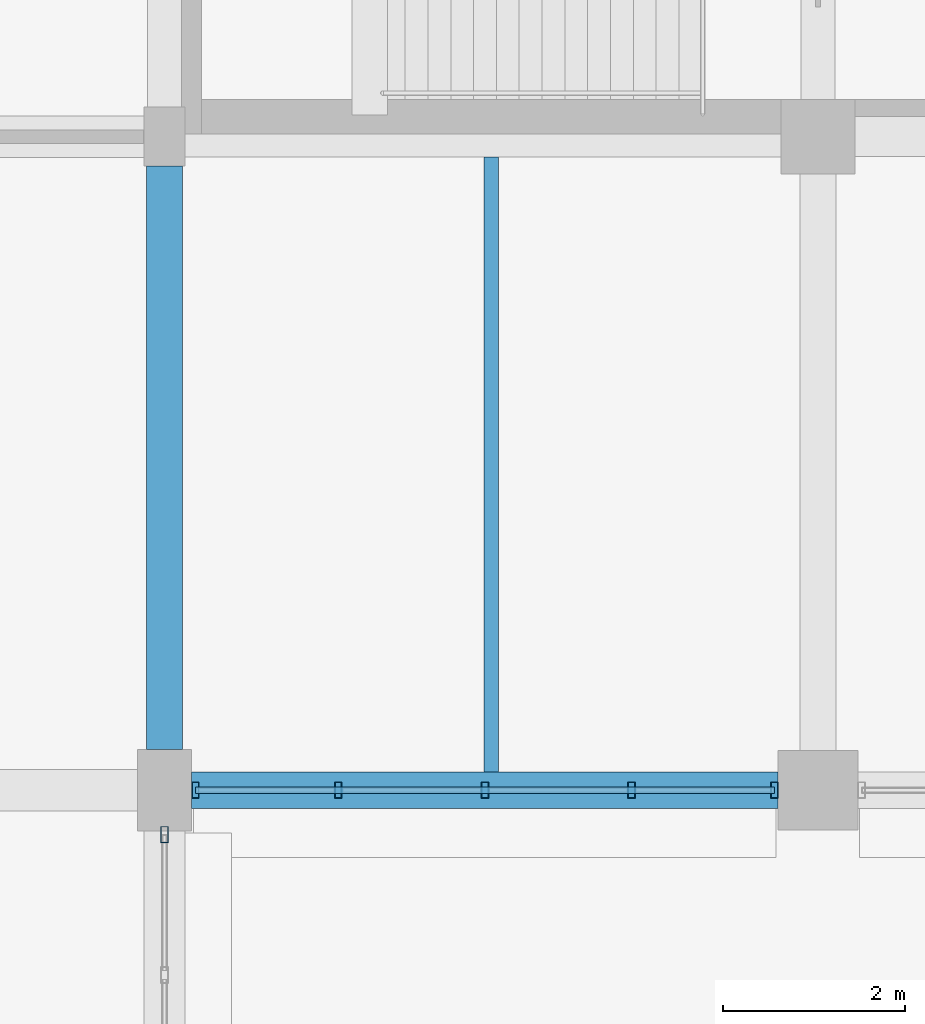
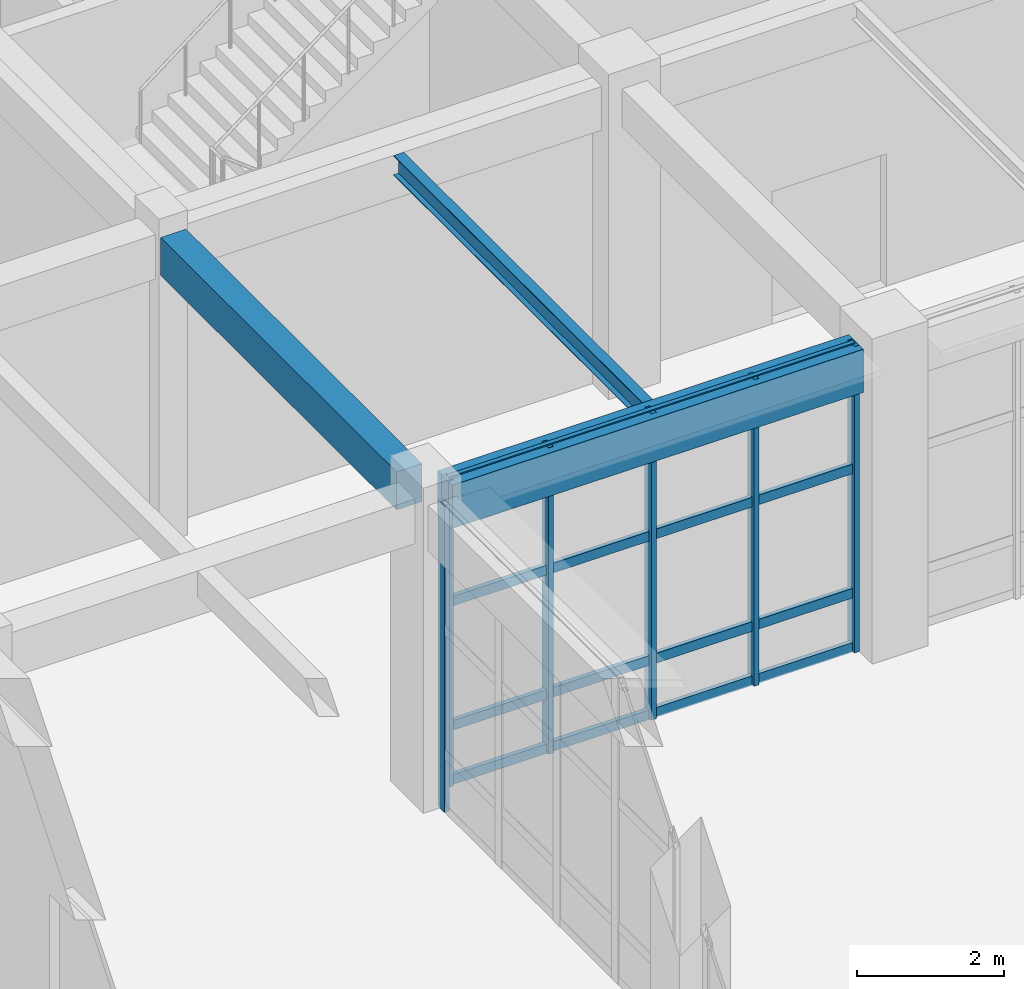
# One storey, part 54 of 160: 10 members, 3 beams, 2 elements without a shape of their own.
"""IFC4 building model written with IfcOpenShell, lengths in metres."""

from ifc_helpers import new_model, si_unit, direction, frame, origin, origin_2d, place, context, subcontext, project, spatial, rectangle, hollow_rectangle, i_section, extrude, material, material_profile, profile_set, type_object, element, aggregate, save


model = new_model("IFC4")

# Units and contexts
model_context = context("Model", 3, precision=1e-05, world=origin(), true_north=direction((0.0, 1.0)))
body_context = subcontext(model_context, "Body", "Model", "MODEL_VIEW")
ifc_project = project(units=[si_unit("LENGTHUNIT", "METRE"), si_unit("AREAUNIT", "SQUARE_METRE"), si_unit("VOLUMEUNIT", "CUBIC_METRE"), si_unit("PLANEANGLEUNIT", "RADIAN"), si_unit("MASSUNIT", "GRAM", prefix="KILO")], contexts=[model_context])

# Site, building, storey
site_placement = place(None, origin())
site = spatial("IfcSite", under=ifc_project, at=site_placement, CompositionType="ELEMENT")
building_placement = place(site_placement, origin())
building = spatial("IfcBuilding", under=site, at=building_placement, Name="Thalmaran Polytechnic", CompositionType="ELEMENT")
storey_placement = place(building_placement, origin())
storey = spatial("IfcBuildingStorey", under=building, at=storey_placement, Name="L00", CompositionType="ELEMENT", Elevation=0.0)

# Beams
ifc_material_1 = material(Name="Concrete C40/50", Category="concrete")
ifc_material_profile_1 = material_profile(ifc_material_1, rectangle(XDim=0.39990234375, YDim=0.6298828125, at=origin_2d()), Name="RC 400x630")
ifc_profile_set_1 = profile_set([ifc_material_profile_1], Name="Concrete C40/50")
beam_type_1 = type_object("IfcBeamType", Name="BM-RC07", PredefinedType="BEAM", material=ifc_profile_set_1)
beam_1_placement = place(storey_placement, frame((21.60009765625, 94.050048828125, 4.77490234375), z_axis=(0.0, 1.0, 0.0), x_axis=(-1.0, 0.0, 0.0)))
element("IfcBeam", 1, at=beam_1_placement, inside=storey, type_object=beam_type_1, Name="Grid Beam B07 L00 Y(3,13)", PredefinedType="BEAM", context=body_context, shape_type="SweptSolid", body=[
    extrude(rectangle(XDim=0.39990234375, YDim=0.6298828125, at=origin_2d()), origin(), (0.0, 0.0, 1.0), 6.425048828125),
])
ifc_material_2 = material(Name="Steel S355", Category="steel")
ifc_material_profile_2 = material_profile(ifc_material_2, i_section(OverallWidth=0.159912109375, OverallDepth=0.330078125, WebThickness=0.007568359375, FlangeThickness=0.011474609375, at=origin_2d()), Name="IPE 330")
ifc_profile_set_2 = profile_set([ifc_material_profile_2], Name="Steel S355")
beam_type_2 = type_object("IfcBeamType", Name="BM-SJ02", PredefinedType="JOIST", material=ifc_profile_set_2)
beam_2_placement = place(storey_placement, frame((25.199951171875, 93.800048828125, 4.925048828125), z_axis=(0.0, 1.0, 0.0), x_axis=(-1.0, 0.0, 0.0)))
element("IfcBeam", 2, at=beam_2_placement, inside=storey, type_object=beam_type_2, Name="Secondary Floor Rib SJ02 L00 (3,13)", PredefinedType="JOIST", context=body_context, shape_type="SweptSolid", body=[
    extrude(i_section(OverallWidth=0.159912109375, OverallDepth=0.330078125, WebThickness=0.007568359375, FlangeThickness=0.011474609375, at=origin_2d()), origin(), (0.0, 0.0, 1.0), 6.77490234375),
])
ifc_material_profile_3 = material_profile(ifc_material_1, rectangle(XDim=0.39990234375, YDim=0.719970703125, at=origin_2d()), Name="RC 400x720")
ifc_profile_set_3 = profile_set([ifc_material_profile_3], Name="Concrete C40/50")
beam_type_3 = type_object("IfcBeamType", Name="BM-SP01", PredefinedType="SPANDREL", material=ifc_profile_set_3)
beam_3_placement = place(storey_placement, frame((21.89990234375, 93.60009765625, 4.72998046875), z_axis=(1.0, 0.0, 0.0), x_axis=(0.0, 1.0, 0.0)))
element("IfcBeam", 3, at=beam_3_placement, inside=storey, type_object=beam_type_3, Name="Grid Beam SP01 L00 X(3,13)", PredefinedType="SPANDREL", context=body_context, shape_type="SweptSolid", body=[
    extrude(rectangle(XDim=0.39990234375, YDim=0.719970703125, at=origin_2d()), origin(), (0.0, 0.0, 1.0), 6.460205078125),
])

# Curtain wall, members
ifc_material_3 = material(Name="Aluminium 6063-T6", Category="aluminium")
curtain_wall_type = type_object("IfcCurtainWallType", Name="CW-UC01", PredefinedType="USERDEFINED", material=ifc_material_3)
curtain_wall_1_placement = place(storey_placement, origin())
curtain_wall_1 = element("IfcCurtainWall", 4, at=curtain_wall_1_placement, inside=storey, type_object=curtain_wall_type, Name="Curtain Wall CW-L00-022", ObjectType="UNITISED CURTAIN WALL", PredefinedType="USERDEFINED")
ifc_material_profile_4 = material_profile(ifc_material_3, hollow_rectangle(XDim=0.080078125, YDim=0.179931640625, WallThickness=0.0048828125, at=origin_2d()), Name="RHS 180x80x5.0")
ifc_profile_set_4 = profile_set([ifc_material_profile_4], Name="Aluminium 6063-T6")
member_type_1 = type_object("IfcMemberType", Name="CW-MUL1", PredefinedType="MULLION", material=ifc_profile_set_4)
member_1_placement = place(storey_placement, frame((28.320068359375, 93.60009765625, 0.0), z_axis=(0.0, 0.0, 1.0), x_axis=(1.0, 0.0, 0.0)))
member_1 = element("IfcMember", 5, at=member_1_placement, type_object=member_type_1, Name="CW-L00-022 Mullion 1", PredefinedType="MULLION", context=body_context, shape_type="SweptSolid", body=[
    extrude(hollow_rectangle(XDim=0.080078125, YDim=0.179931640625, WallThickness=0.0048828125, at=origin_2d()), origin(), (0.0, 0.0, 1.0), 5.090087890625),
])
member_2_placement = place(storey_placement, frame((26.7451171875, 93.60009765625, 0.0), z_axis=(0.0, 0.0, 1.0), x_axis=(1.0, 0.0, 0.0)))
member_2 = element("IfcMember", 6, at=member_2_placement, type_object=member_type_1, Name="CW-L00-022 Mullion 2", PredefinedType="MULLION", context=body_context, shape_type="SweptSolid", body=[
    extrude(hollow_rectangle(XDim=0.080078125, YDim=0.179931640625, WallThickness=0.0048828125, at=origin_2d()), origin(), (0.0, 0.0, 1.0), 5.090087890625),
])
member_3_placement = place(storey_placement, frame((25.1298828125, 93.60009765625, 0.0), z_axis=(0.0, 0.0, 1.0), x_axis=(1.0, 0.0, 0.0)))
member_3 = element("IfcMember", 7, at=member_3_placement, type_object=member_type_1, Name="CW-L00-022 Mullion 3", PredefinedType="MULLION", context=body_context, shape_type="SweptSolid", body=[
    extrude(hollow_rectangle(XDim=0.080078125, YDim=0.179931640625, WallThickness=0.0048828125, at=origin_2d()), origin(), (0.0, 0.0, 1.0), 5.090087890625),
])
member_4_placement = place(storey_placement, frame((23.514892578125, 93.60009765625, 0.0), z_axis=(0.0, 0.0, 1.0), x_axis=(1.0, 0.0, 0.0)))
member_4 = element("IfcMember", 8, at=member_4_placement, type_object=member_type_1, Name="CW-L00-022 Mullion 4", PredefinedType="MULLION", context=body_context, shape_type="SweptSolid", body=[
    extrude(hollow_rectangle(XDim=0.080078125, YDim=0.179931640625, WallThickness=0.0048828125, at=origin_2d()), origin(), (0.0, 0.0, 1.0), 5.090087890625),
])
member_5_placement = place(storey_placement, frame((21.93994140625, 93.60009765625, 0.0), z_axis=(0.0, 0.0, 1.0), x_axis=(1.0, 0.0, 0.0)))
member_5 = element("IfcMember", 9, at=member_5_placement, type_object=member_type_1, Name="CW-L00-022 Mullion 5", PredefinedType="MULLION", context=body_context, shape_type="SweptSolid", body=[
    extrude(hollow_rectangle(XDim=0.080078125, YDim=0.179931640625, WallThickness=0.0048828125, at=origin_2d()), origin(), (0.0, 0.0, 1.0), 5.090087890625),
])

# Curtain wall, member
curtain_wall_2_placement = place(storey_placement, origin())
curtain_wall_2 = element("IfcCurtainWall", 10, at=curtain_wall_2_placement, inside=storey, type_object=curtain_wall_type, Name="Curtain Wall CW-L00-023", ObjectType="UNITISED CURTAIN WALL", PredefinedType="USERDEFINED")
member_6_placement = place(storey_placement, frame((21.60009765625, 93.110107421875, 0.0), z_axis=(0.0, 0.0, 1.0), x_axis=(1.0, 0.0, 0.0)))
member_6 = element("IfcMember", 11, at=member_6_placement, type_object=member_type_1, Name="CW-L00-023 Mullion 1", PredefinedType="MULLION", context=body_context, shape_type="SweptSolid", body=[
    extrude(hollow_rectangle(XDim=0.080078125, YDim=0.179931640625, WallThickness=0.0048828125, at=origin_2d()), origin(), (0.0, 0.0, 1.0), 5.090087890625),
])
aggregate(curtain_wall_2, [member_6])

# Member
ifc_material_profile_5 = material_profile(ifc_material_3, hollow_rectangle(XDim=0.070068359375, YDim=0.159912109375, WallThickness=0.00390625, at=origin_2d()), Name="AL 160x70x4.0")
ifc_profile_set_5 = profile_set([ifc_material_profile_5], Name="Aluminium 6063-T6")
member_type_2 = type_object("IfcMemberType", Name="CW-TRN1", PredefinedType="USERDEFINED", material=ifc_profile_set_5)
member_7_placement = place(storey_placement, frame((28.320068359375, 93.60009765625, 0.06005859375), z_axis=(-1.0, 0.0, 0.0), x_axis=(0.0, -1.0, 0.0)))
member_7 = element("IfcMember", 12, at=member_7_placement, type_object=member_type_2, Name="CW-L00-022 Transom 1", ObjectType="TRANSOM", PredefinedType="USERDEFINED", context=body_context, shape_type="SweptSolid", body=[
    extrude(hollow_rectangle(XDim=0.070068359375, YDim=0.159912109375, WallThickness=0.00390625, at=origin_2d()), origin(), (0.0, 0.0, 1.0), 6.380126953125),
])

member_8_placement = place(storey_placement, frame((28.320068359375, 93.60009765625, 0.9599609375), z_axis=(-1.0, 0.0, 0.0), x_axis=(0.0, -1.0, 0.0)))
member_8 = element("IfcMember", 13, at=member_8_placement, type_object=member_type_2, Name="CW-L00-022 Transom 2", ObjectType="TRANSOM", PredefinedType="USERDEFINED", context=body_context, shape_type="SweptSolid", body=[
    extrude(hollow_rectangle(XDim=0.070068359375, YDim=0.159912109375, WallThickness=0.00390625, at=origin_2d()), origin(), (0.0, 0.0, 1.0), 6.380126953125),
])

member_9_placement = place(storey_placement, frame((28.320068359375, 93.60009765625, 3.02490234375), z_axis=(-1.0, 0.0, 0.0), x_axis=(0.0, -1.0, 0.0)))
member_9 = element("IfcMember", 14, at=member_9_placement, type_object=member_type_2, Name="CW-L00-022 Transom 3", ObjectType="TRANSOM", PredefinedType="USERDEFINED", context=body_context, shape_type="SweptSolid", body=[
    extrude(hollow_rectangle(XDim=0.070068359375, YDim=0.159912109375, WallThickness=0.00390625, at=origin_2d()), origin(), (0.0, 0.0, 1.0), 6.380126953125),
])

member_10_placement = place(storey_placement, frame((28.320068359375, 93.60009765625, 5.030029296875), z_axis=(-1.0, 0.0, 0.0), x_axis=(0.0, -1.0, 0.0)))
member_10 = element("IfcMember", 15, at=member_10_placement, type_object=member_type_2, Name="CW-L00-022 Transom 4", ObjectType="TRANSOM", PredefinedType="USERDEFINED", context=body_context, shape_type="SweptSolid", body=[
    extrude(hollow_rectangle(XDim=0.070068359375, YDim=0.159912109375, WallThickness=0.00390625, at=origin_2d()), origin(), (0.0, 0.0, 1.0), 6.380126953125),
])

aggregate(curtain_wall_1, [member_1, member_2, member_3, member_4, member_5, member_7, member_8, member_9, member_10])

save(model, "model.ifc")
